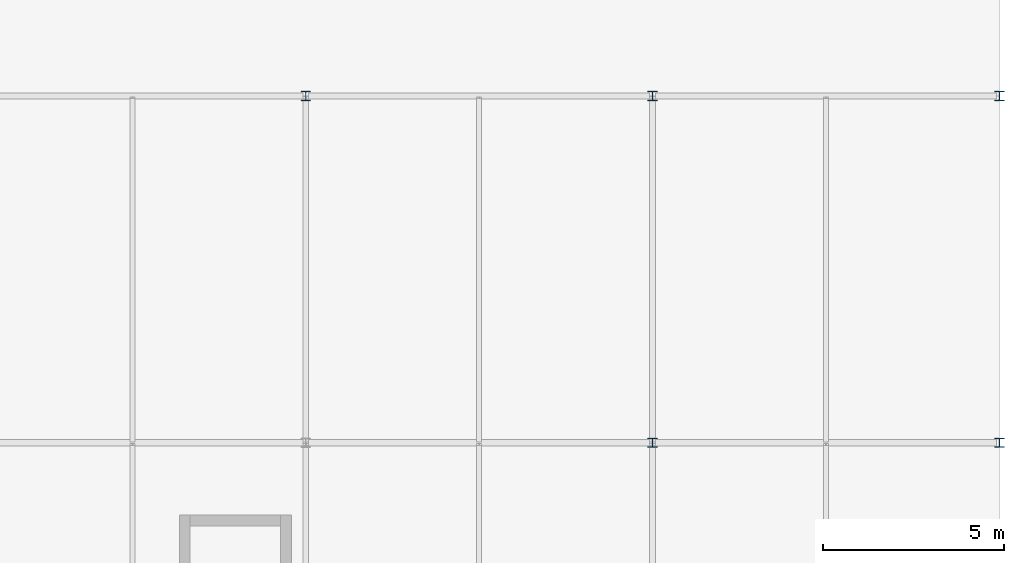
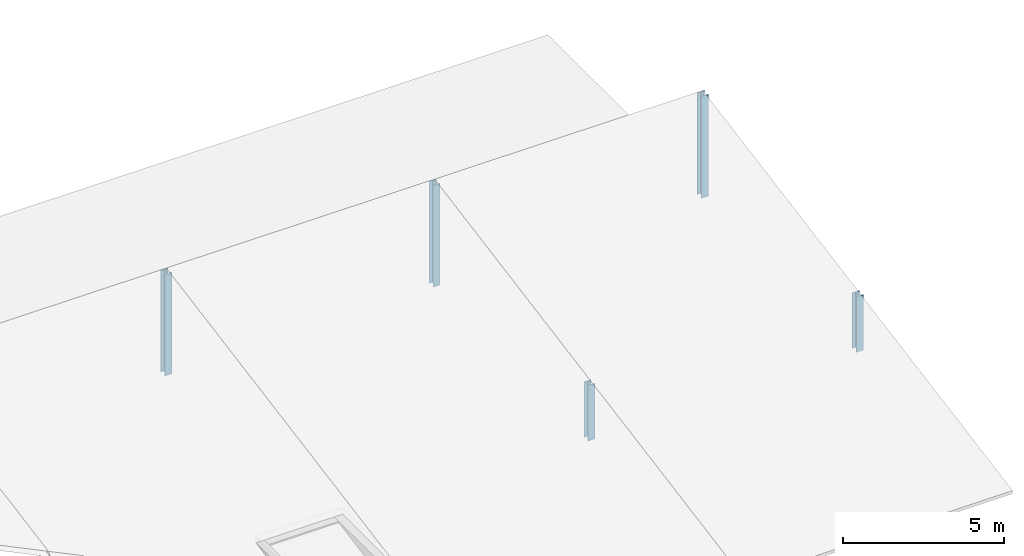
# One storey, part 8 of 126: 5 columns.
"""IFC4 building model written with IfcOpenShell, lengths in metres."""

import ifcopenshell
import ifcopenshell.guid

model = None  # the IFC model being written
_history = None  # IfcOwnerHistory: only IFC2X3 demands one
_inside = {}  # id of a spatial element -> (the spatial element, [elements in it])
_under = {}  # id of a project, library or spatial element -> (it, [spatial elements below it])
_declared = {}  # id of a project -> (the project, [libraries it declares])
_typed = {}  # id of a type object -> (the type object, [elements of that type])
_made_of = {}  # id of a material, layer set ... -> (it, [elements and type objects made of it])


def new_model(schema):
    """Start an empty IFC model of exactly this schema.

    Asked for "IFC4X3", IfcOpenShell would pick the latest addendum, in which some entities
    have other attributes; the version numbers below select the first issue.
    IFC2X3 requires an IfcOwnerHistory on every rooted entity: one is made here for all.
    """
    global model, _history
    if schema == "IFC4X3":
        model = ifcopenshell.file(schema_version=(4, 3, 0, 0))
    else:
        model = ifcopenshell.file(schema=schema)
    _inside.clear()
    _under.clear()
    _declared.clear()
    _typed.clear()
    _made_of.clear()
    _history = None
    if model.schema == "IFC2X3":
        org = make("IfcOrganization", Name="unknown")
        user = make(
            "IfcPersonAndOrganization",
            ThePerson=make("IfcPerson", FamilyName="unknown"),
            TheOrganization=org,
        )
        app = make(
            "IfcApplication",
            ApplicationDeveloper=org,
            Version="unknown",
            ApplicationFullName="unknown",
            ApplicationIdentifier="unknown",
        )
        _history = make(
            "IfcOwnerHistory",
            OwningUser=user,
            OwningApplication=app,
            ChangeAction="ADDED",
            CreationDate=0,
        )
    return model


def make(cls, **values):
    """One entity of the class cls with the attributes given. An attribute that is None is left unset."""
    return model.create_entity(
        cls, **{name: value for name, value in values.items() if value is not None}
    )


def rooted(cls, **values):
    """An entity with a GlobalId (a new one), such as an element, a storey or a relation."""
    return make(cls, GlobalId=ifcopenshell.guid.new(), OwnerHistory=_history, **values)


def si_unit(unit_type, name, prefix=None):
    """IfcSIUnit, for example si_unit("LENGTHUNIT", "METRE", prefix="MILLI")."""
    return make("IfcSIUnit", UnitType=unit_type, Prefix=prefix, Name=name)


def assignment(units):
    """IfcUnitAssignment: the units of a project."""
    return None if units is None else make("IfcUnitAssignment", Units=units)


def point(xyz):
    """IfcCartesianPoint."""
    return None if xyz is None else make("IfcCartesianPoint", Coordinates=xyz)


def direction(xyz):
    """IfcDirection."""
    return None if xyz is None else make("IfcDirection", DirectionRatios=xyz)


def frame(location, z_axis=None, x_axis=None):
    """IfcAxis2Placement3D, a coordinate frame: its origin and axes. An axis left out is left unset."""
    return make(
        "IfcAxis2Placement3D",
        Location=point(location),
        Axis=direction(z_axis),
        RefDirection=direction(x_axis),
    )


def frame_2d(location, x_axis=None):
    """IfcAxis2Placement2D, a coordinate frame in the plane: its origin and x axis."""
    return make(
        "IfcAxis2Placement2D", Location=point(location), RefDirection=direction(x_axis)
    )


def origin():
    """The frame at (0, 0, 0) with its axes left unset."""
    return frame((0.0, 0.0, 0.0))


def origin_2d():
    """The frame at (0, 0) in the plane with its x axis left unset."""
    return frame_2d((0.0, 0.0))


def place(relative_to, where):
    """IfcLocalPlacement: puts the frame where relative to a parent placement (None: the world)."""
    return make(
        "IfcLocalPlacement", PlacementRelTo=relative_to, RelativePlacement=where
    )


def context(
    kind, dimensions, precision=None, world=None, true_north=None, identifier=None
):
    """IfcGeometricRepresentationContext, for example the 3D "Model" context."""
    return make(
        "IfcGeometricRepresentationContext",
        ContextIdentifier=identifier,
        ContextType=kind,
        CoordinateSpaceDimension=dimensions,
        Precision=precision,
        WorldCoordinateSystem=world,
        TrueNorth=true_north,
    )


def subcontext(parent, identifier, kind, view, scale=None):
    """IfcGeometricRepresentationSubContext, for example "Body" below "Model"."""
    return make(
        "IfcGeometricRepresentationSubContext",
        ContextIdentifier=identifier,
        ContextType=kind,
        ParentContext=parent,
        TargetScale=scale,
        TargetView=view,
    )


def project(units=None, contexts=None):
    """IfcProject with its units and contexts."""
    return rooted(
        "IfcProject",
        Name="project",
        RepresentationContexts=contexts,
        UnitsInContext=assignment(units),
    )


def spatial(cls, under=None, at=None, **own):
    """A site, building, storey or space (cls), placed at a placement, below another one or the project."""
    s = rooted(cls, ObjectPlacement=at, **own)
    if under is not None:
        _under.setdefault(under.id(), (under, []))[1].append(s)
    return s


def profile(cls, at=None, kind="AREA", **sizes):
    """A parametric profile (cls). Its sizes go by their IFC names, for example OverallWidth=200.0."""
    return make(cls, ProfileType=kind, Position=at, **sizes)


def i_section(**sizes):
    """IfcIShapeProfileDef."""
    return profile("IfcIShapeProfileDef", **sizes)


def extrude(swept, where, along, depth):
    """IfcExtrudedAreaSolid: the profile swept, set in the frame where, extruded along a direction by depth."""
    return make(
        "IfcExtrudedAreaSolid",
        SweptArea=swept,
        Position=where,
        ExtrudedDirection=direction(along),
        Depth=depth,
    )


def shape(context_of_items, identifier, shape_type, items):
    """IfcShapeRepresentation: the items that make up one representation, for example the "Body"."""
    return make(
        "IfcShapeRepresentation",
        ContextOfItems=context_of_items,
        RepresentationIdentifier=identifier,
        RepresentationType=shape_type,
        Items=items,
    )


def material(Name=None, Category=None):
    """IfcMaterial."""
    return make("IfcMaterial", Name=Name, Category=Category)


def material_profile(
    of_material, cross_section, Name=None, Category=None, Priority=None
):
    """IfcMaterialProfile: a cross section and its material."""
    return make(
        "IfcMaterialProfile",
        Name=Name,
        Material=of_material,
        Profile=cross_section,
        Priority=Priority,
        Category=Category,
    )


def profile_set(profiles, Name=None, composite=None):
    """IfcMaterialProfileSet."""
    return make(
        "IfcMaterialProfileSet",
        Name=Name,
        MaterialProfiles=profiles,
        CompositeProfile=composite,
    )


def made_of(thing, what):
    """Note that an element or type object is made of a material, layer set ...; save() writes the relation."""
    if what is not None:
        _made_of.setdefault(what.id(), (what, []))[1].append(thing)
    return thing


def type_object(cls, material=None, **own):
    """A type object (cls), such as IfcWallType, which elements share."""
    return made_of(rooted(cls, **own), material)


def element(
    cls,
    number,
    at=None,
    inside=None,
    cuts=None,
    type_object=None,
    material=None,
    context=None,
    identifier="Body",
    shape_type=None,
    held_by="IfcProductDefinitionShape",
    body=None,
    shapes=None,
    **own,
):
    """One element of the class cls, such as IfcWall. Its Tag is "e" and its number.

    at: its placement. inside: the storey or other place that contains it. cuts: it is an
    opening in that element (IfcRelVoidsElement). A single representation is given by context,
    identifier, shape_type and body (its items); several are given by shapes. held_by: the class
    of the entity that holds the representations. save() writes the other relations.
    """
    e = rooted(cls, Tag="e%d" % number, ObjectPlacement=at, **own)
    if body is not None:
        shapes = [shape(context, identifier, shape_type, body)]
    if shapes is not None:
        e.Representation = make(held_by, Representations=shapes)
    if inside is not None:
        _inside.setdefault(inside.id(), (inside, []))[1].append(e)
    if cuts is not None:
        rooted(
            "IfcRelVoidsElement", RelatingBuildingElement=cuts, RelatedOpeningElement=e
        )
    if type_object is not None:
        _typed.setdefault(type_object.id(), (type_object, []))[1].append(e)
    return made_of(e, material)


def aggregate(whole, parts):
    """IfcRelAggregates: a whole, such as a stair, and the parts it consists of."""
    return rooted("IfcRelAggregates", RelatingObject=whole, RelatedObjects=parts)


def save(model, path):
    """Write the relations noted so far, then the file.

    IfcRelAggregates (storeys below a building ...), IfcRelContainedInSpatialStructure (elements
    in a storey), IfcRelDefinesByType, IfcRelAssociatesMaterial and IfcRelDeclares: one each for
    every whole, place, type object, material and project.
    """
    for whole, parts in _under.values():
        aggregate(whole, parts)
    for where, things in _inside.values():
        rooted(
            "IfcRelContainedInSpatialStructure",
            RelatedElements=things,
            RelatingStructure=where,
        )
    for kind, things in _typed.values():
        rooted("IfcRelDefinesByType", RelatedObjects=things, RelatingType=kind)
    for what, things in _made_of.values():
        rooted("IfcRelAssociatesMaterial", RelatedObjects=things, RelatingMaterial=what)
    for by, libraries in _declared.values():
        rooted("IfcRelDeclares", RelatingContext=by, RelatedDefinitions=libraries)
    model.write(path)


model = new_model("IFC4")

# Units and contexts
model_context = context("Model", 3, precision=1e-05, world=origin(), true_north=direction((0.0, 1.0)))
body_context = subcontext(model_context, "Body", "Model", "MODEL_VIEW")
ifc_project = project(units=[si_unit("LENGTHUNIT", "METRE"), si_unit("AREAUNIT", "SQUARE_METRE"), si_unit("VOLUMEUNIT", "CUBIC_METRE"), si_unit("PLANEANGLEUNIT", "RADIAN"), si_unit("MASSUNIT", "GRAM", prefix="KILO")], contexts=[model_context])

# Site, building, storey
site_placement = place(None, origin())
site = spatial("IfcSite", under=ifc_project, at=site_placement, CompositionType="ELEMENT")
building_placement = place(site_placement, origin())
building = spatial("IfcBuilding", under=site, at=building_placement, Name="Coralgate Yard Interchange", CompositionType="ELEMENT")
storey_placement = place(building_placement, frame((0.0, 0.0, 10.5)))
storey = spatial("IfcBuildingStorey", under=building, at=storey_placement, Name="L02", CompositionType="ELEMENT", Elevation=10.5)

# Columns
ifc_material = material(Name="Structural steel S355J2", Category="steel")
ifc_material_profile = material_profile(ifc_material, i_section(OverallWidth=0.25634765625, OverallDepth=0.26025390625, WebThickness=0.01025390625, FlangeThickness=0.017333984375, FilletRadius=0.0126953125, at=origin_2d()), Name="UC 254x254x89")
ifc_profile_set = profile_set([ifc_material_profile], Name="Structural steel S355J2")
column_type = type_object("IfcColumnType", Name="COL-SC-8", PredefinedType="COLUMN", material=ifc_profile_set)
column_1_placement = place(storey_placement, frame((163.199951171875, 19.199951171875, -0.25), z_axis=(0.0, 0.0, 1.0), x_axis=(1.0, 0.0, 0.0)))
element("IfcColumn", 1, at=column_1_placement, inside=storey, type_object=column_type, Name="Cycle hub high-eave roof post 17", PredefinedType="COLUMN", context=body_context, shape_type="SweptSolid", body=[
    extrude(i_section(OverallWidth=0.25634765625, OverallDepth=0.26025390625, WebThickness=0.01025390625, FlangeThickness=0.017333984375, FilletRadius=0.0126953125, at=origin_2d()), origin(), (0.0, 0.0, 1.0), 3.85009765625),
])
column_2_placement = place(storey_placement, frame((172.800048828125, 9.60009765625, -0.25), z_axis=(0.0, 0.0, 1.0), x_axis=(1.0, 0.0, 0.0)))
element("IfcColumn", 2, at=column_2_placement, inside=storey, type_object=column_type, Name="Cycle hub mid-ridge roof post 18", PredefinedType="COLUMN", context=body_context, shape_type="SweptSolid", body=[
    extrude(i_section(OverallWidth=0.25634765625, OverallDepth=0.26025390625, WebThickness=0.01025390625, FlangeThickness=0.017333984375, FilletRadius=0.0126953125, at=origin_2d()), origin(), (0.0, 0.0, 1.0), 2.10009765625),
])
column_3_placement = place(storey_placement, frame((172.800048828125, 19.199951171875, -0.25), z_axis=(0.0, 0.0, 1.0), x_axis=(1.0, 0.0, 0.0)))
element("IfcColumn", 3, at=column_3_placement, inside=storey, type_object=column_type, Name="Cycle hub high-eave roof post 18", PredefinedType="COLUMN", context=body_context, shape_type="SweptSolid", body=[
    extrude(i_section(OverallWidth=0.25634765625, OverallDepth=0.26025390625, WebThickness=0.01025390625, FlangeThickness=0.017333984375, FilletRadius=0.0126953125, at=origin_2d()), origin(), (0.0, 0.0, 1.0), 3.85009765625),
])
column_4_placement = place(storey_placement, frame((182.39990234375, 9.60009765625, -0.25), z_axis=(0.0, 0.0, 1.0), x_axis=(1.0, 0.0, 0.0)))
element("IfcColumn", 4, at=column_4_placement, inside=storey, type_object=column_type, Name="Cycle hub mid-ridge roof post 19", PredefinedType="COLUMN", context=body_context, shape_type="SweptSolid", body=[
    extrude(i_section(OverallWidth=0.25634765625, OverallDepth=0.26025390625, WebThickness=0.01025390625, FlangeThickness=0.017333984375, FilletRadius=0.0126953125, at=origin_2d()), origin(), (0.0, 0.0, 1.0), 2.10009765625),
])
column_5_placement = place(storey_placement, frame((182.39990234375, 19.199951171875, -0.25), z_axis=(0.0, 0.0, 1.0), x_axis=(1.0, 0.0, 0.0)))
element("IfcColumn", 5, at=column_5_placement, inside=storey, type_object=column_type, Name="Cycle hub high-eave roof post 19", PredefinedType="COLUMN", context=body_context, shape_type="SweptSolid", body=[
    extrude(i_section(OverallWidth=0.25634765625, OverallDepth=0.26025390625, WebThickness=0.01025390625, FlangeThickness=0.017333984375, FilletRadius=0.0126953125, at=origin_2d()), origin(), (0.0, 0.0, 1.0), 3.85009765625),
])

save(model, "model.ifc")
